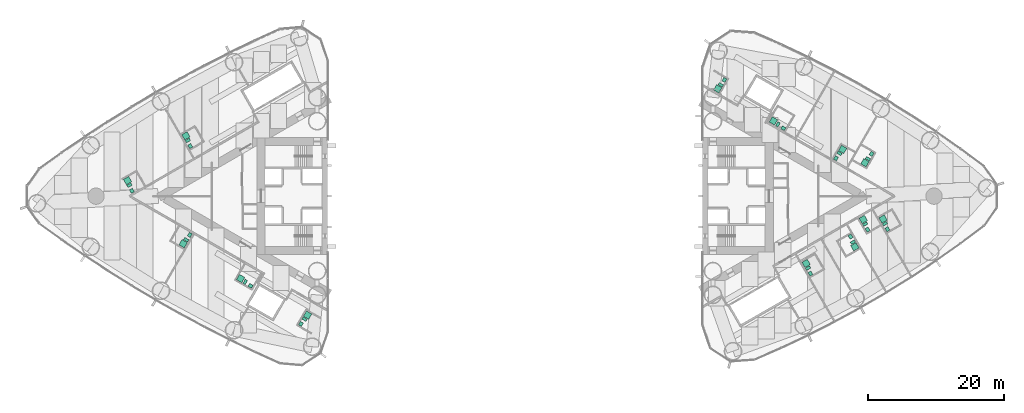
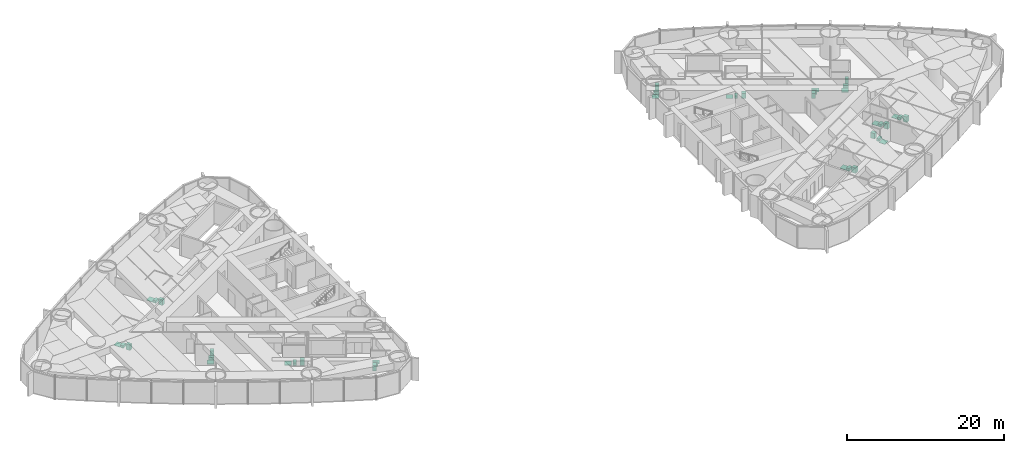
# One storey, part 18 of 18: 17 sanitary terminals.
"""IFC4 building model written with IfcOpenShell, lengths in metres."""

from ifc_helpers import new_model, si_unit, direction, frame, origin, origin_2d, place, context, subcontext, project, spatial, rectangle, extrude, material, type_object, element, save


model = new_model("IFC4")

# Units and contexts
model_context = context("Model", 3, precision=1e-05, world=origin(), true_north=direction((0.0, 1.0)))
body_context = subcontext(model_context, "Body", "Model", "MODEL_VIEW")
ifc_project = project(units=[si_unit("LENGTHUNIT", "METRE"), si_unit("AREAUNIT", "SQUARE_METRE"), si_unit("VOLUMEUNIT", "CUBIC_METRE"), si_unit("PLANEANGLEUNIT", "RADIAN"), si_unit("MASSUNIT", "GRAM", prefix="KILO")], contexts=[model_context])

# Site, building, storey
site_placement = place(None, origin())
site = spatial("IfcSite", under=ifc_project, at=site_placement, CompositionType="ELEMENT")
building_placement = place(site_placement, origin())
building = spatial("IfcBuilding", under=site, at=building_placement, Name="Lancet Gate Hotel", CompositionType="ELEMENT")
storey_placement = place(building_placement, frame((0.0, 0.0, 94.10009765625)))
storey = spatial("IfcBuildingStorey", under=building, at=storey_placement, Name="L24", CompositionType="ELEMENT", Elevation=94.10009765625)

# Sanitary terminals
ifc_material_1 = material(Name="Vitreous china sanitary ware")
sanitary_terminal_type_1 = type_object("IfcSanitaryTerminalType", Name="En-suite sanitary set (shower, WC, basin)", PredefinedType="USERDEFINED", material=ifc_material_1)
sanitary_terminal_1_placement = place(storey_placement, frame((-56.8798828125, 2.279541015625, 0.0), z_axis=(0.0, 0.0, 1.0), x_axis=(1.0, 0.0, 0.0)))
element("IfcSanitaryTerminal", 1, at=sanitary_terminal_1_placement, inside=storey, type_object=sanitary_terminal_type_1, Name="En-suite sanitary set (shower, WC, basin) 2403", ObjectType="EN-SUITE SANITARY SET", PredefinedType="USERDEFINED", context=body_context, shape_type="SweptSolid", body=[
    extrude(rectangle(XDim=0.89990234375, YDim=0.89990234375, at=origin_2d()), frame((0.0, 0.0, 0.0), z_axis=(0.0, 0.0, 1.0), x_axis=(-0.5, 0.866025403784, 0.0)), (0.0, 0.0, 1.0), 0.050048828125),
    extrude(rectangle(XDim=0.39990234375, YDim=0.699951171875, at=origin_2d()), frame((0.278564453125, -0.68212890625, 0.0), z_axis=(0.0, 0.0, 1.0), x_axis=(-0.5, 0.866025403784, 0.0)), (0.0, 0.0, 1.0), 0.39990234375),
    extrude(rectangle(XDim=0.60009765625, YDim=0.5, at=origin_2d()), frame((0.6318359375, -1.494140625, 0.0), z_axis=(0.0, 0.0, 1.0), x_axis=(-0.5, 0.866025403784, 0.0)), (0.0, 0.0, 1.0), 0.85009765625),
])
sanitary_terminal_2_placement = place(storey_placement, frame((-48.724853515625, -6.988037109375, 0.0), z_axis=(0.0, 0.0, 1.0), x_axis=(1.0, 0.0, 0.0)))
element("IfcSanitaryTerminal", 2, at=sanitary_terminal_2_placement, inside=storey, type_object=sanitary_terminal_type_1, Name="En-suite sanitary set (shower, WC, basin) 2405", ObjectType="EN-SUITE SANITARY SET", PredefinedType="USERDEFINED", context=body_context, shape_type="SweptSolid", body=[
    extrude(rectangle(XDim=0.89990234375, YDim=0.89990234375, at=origin_2d()), frame((0.0, 0.0, 0.0), z_axis=(0.0, 0.0, 1.0), x_axis=(-0.5, -0.866025403784, 0.0)), (0.0, 0.0, 1.0), 0.050048828125),
    extrude(rectangle(XDim=0.39990234375, YDim=0.699951171875, at=origin_2d()), frame((0.45166015625, 0.582275390625, 0.0), z_axis=(0.0, 0.0, 1.0), x_axis=(-0.5, -0.866025403784, 0.0)), (0.0, 0.0, 1.0), 0.39990234375),
    extrude(rectangle(XDim=0.60009765625, YDim=0.5, at=origin_2d()), frame((0.978271484375, 1.29443359375, 0.0), z_axis=(0.0, 0.0, 1.0), x_axis=(-0.5, -0.866025403784, 0.0)), (0.0, 0.0, 1.0), 0.85009765625),
])
sanitary_terminal_3_placement = place(storey_placement, frame((-48.3076171875, 8.845458984375, 0.0), z_axis=(0.0, 0.0, 1.0), x_axis=(1.0, 0.0, 0.0)))
element("IfcSanitaryTerminal", 3, at=sanitary_terminal_3_placement, inside=storey, type_object=sanitary_terminal_type_1, Name="En-suite sanitary set (shower, WC, basin) 2402", ObjectType="EN-SUITE SANITARY SET", PredefinedType="USERDEFINED", context=body_context, shape_type="SweptSolid", body=[
    extrude(rectangle(XDim=0.89990234375, YDim=0.89990234375, at=origin_2d()), frame((0.0, 0.0, 0.0), z_axis=(0.0, 0.0, 1.0), x_axis=(-0.5, 0.866025403784, 0.0)), (0.0, 0.0, 1.0), 0.050048828125),
    extrude(rectangle(XDim=0.39990234375, YDim=0.699951171875, at=origin_2d()), frame((0.2783203125, -0.682373046875, 0.0), z_axis=(0.0, 0.0, 1.0), x_axis=(-0.5, 0.866025403784, 0.0)), (0.0, 0.0, 1.0), 0.39990234375),
    extrude(rectangle(XDim=0.60009765625, YDim=0.5, at=origin_2d()), frame((0.6318359375, -1.494384765625, 0.0), z_axis=(0.0, 0.0, 1.0), x_axis=(-0.5, 0.866025403784, 0.0)), (0.0, 0.0, 1.0), 0.85009765625),
])
sanitary_terminal_4_placement = place(storey_placement, frame((-30.45166015625, -17.468505859375, 0.0), z_axis=(0.0, 0.0, 1.0), x_axis=(1.0, 0.0, 0.0)))
element("IfcSanitaryTerminal", 4, at=sanitary_terminal_4_placement, inside=storey, type_object=sanitary_terminal_type_1, Name="En-suite sanitary set (shower, WC, basin) 2408", ObjectType="EN-SUITE SANITARY SET", PredefinedType="USERDEFINED", context=body_context, shape_type="SweptSolid", body=[
    extrude(rectangle(XDim=0.89990234375, YDim=0.89990234375, at=origin_2d()), frame((0.0, 0.0, 0.0), z_axis=(0.0, 0.0, 1.0), x_axis=(0.5, 0.866025403784, 0.0)), (0.0, 0.0, 1.0), 0.050048828125),
    extrude(rectangle(XDim=0.39990234375, YDim=0.699951171875, at=origin_2d()), frame((-0.45166015625, -0.582275390625, 0.0), z_axis=(0.0, 0.0, 1.0), x_axis=(0.5, 0.866025403784, 0.0)), (0.0, 0.0, 1.0), 0.39990234375),
    extrude(rectangle(XDim=0.60009765625, YDim=0.5, at=origin_2d()), frame((-0.978271484375, -1.29443359375, 0.0), z_axis=(0.0, 0.0, 1.0), x_axis=(0.5, 0.866025403784, 0.0)), (0.0, 0.0, 1.0), 0.85009765625),
])
sanitary_terminal_5_placement = place(storey_placement, frame((42.7333984375, -9.877685546875, 0.0), z_axis=(0.0, 0.0, 1.0), x_axis=(1.0, 0.0, 0.0)))
element("IfcSanitaryTerminal", 5, at=sanitary_terminal_5_placement, inside=storey, type_object=sanitary_terminal_type_1, Name="En-suite sanitary set (shower, WC, basin) 2454", ObjectType="EN-SUITE SANITARY SET", PredefinedType="USERDEFINED", context=body_context, shape_type="SweptSolid", body=[
    extrude(rectangle(XDim=0.89990234375, YDim=0.89990234375, at=origin_2d()), frame((0.0, 0.0, 0.0), z_axis=(0.0, 0.0, 1.0), x_axis=(-0.5, 0.866025403784, 0.0)), (0.0, 0.0, 1.0), 0.050048828125),
    extrude(rectangle(XDim=0.39990234375, YDim=0.699951171875, at=origin_2d()), frame((0.2783203125, -0.682373046875, 0.0), z_axis=(0.0, 0.0, 1.0), x_axis=(-0.5, 0.866025403784, 0.0)), (0.0, 0.0, 1.0), 0.39990234375),
    extrude(rectangle(XDim=0.60009765625, YDim=0.5, at=origin_2d()), frame((0.6318359375, -1.494384765625, 0.0), z_axis=(0.0, 0.0, 1.0), x_axis=(-0.5, 0.866025403784, 0.0)), (0.0, 0.0, 1.0), 0.85009765625),
])
sanitary_terminal_6_placement = place(storey_placement, frame((49.875, -7.4404296875, 0.0), z_axis=(0.0, 0.0, 1.0), x_axis=(1.0, 0.0, 0.0)))
element("IfcSanitaryTerminal", 6, at=sanitary_terminal_6_placement, inside=storey, type_object=sanitary_terminal_type_1, Name="En-suite sanitary set (shower, WC, basin) 2455", ObjectType="EN-SUITE SANITARY SET", PredefinedType="USERDEFINED", context=body_context, shape_type="SweptSolid", body=[
    extrude(rectangle(XDim=0.89990234375, YDim=0.89990234375, at=origin_2d()), frame((0.0, 0.0, 0.0), z_axis=(0.0, 0.0, 1.0), x_axis=(0.5, -0.866025403784, 0.0)), (0.0, 0.0, 1.0), 0.050048828125),
    extrude(rectangle(XDim=0.39990234375, YDim=0.699951171875, at=origin_2d()), frame((-0.278564453125, 0.68212890625, 0.0), z_axis=(0.0, 0.0, 1.0), x_axis=(0.5, -0.866025403784, 0.0)), (0.0, 0.0, 1.0), 0.39990234375),
    extrude(rectangle(XDim=0.60009765625, YDim=0.5, at=origin_2d()), frame((-0.6318359375, 1.494140625, 0.0), z_axis=(0.0, 0.0, 1.0), x_axis=(0.5, -0.866025403784, 0.0)), (0.0, 0.0, 1.0), 0.85009765625),
])
sanitary_terminal_7_placement = place(storey_placement, frame((51.11669921875, -3.421142578125, 0.0), z_axis=(0.0, 0.0, 1.0), x_axis=(1.0, 0.0, 0.0)))
element("IfcSanitaryTerminal", 7, at=sanitary_terminal_7_placement, inside=storey, type_object=sanitary_terminal_type_1, Name="En-suite sanitary set (shower, WC, basin) 2456", ObjectType="EN-SUITE SANITARY SET", PredefinedType="USERDEFINED", context=body_context, shape_type="SweptSolid", body=[
    extrude(rectangle(XDim=0.89990234375, YDim=0.89990234375, at=origin_2d()), frame((0.0, 0.0, 0.0), z_axis=(0.0, 0.0, 1.0), x_axis=(-0.5, 0.866025403784, 0.0)), (0.0, 0.0, 1.0), 0.050048828125),
    extrude(rectangle(XDim=0.39990234375, YDim=0.699951171875, at=origin_2d()), frame((0.2783203125, -0.682373046875, 0.0), z_axis=(0.0, 0.0, 1.0), x_axis=(-0.5, 0.866025403784, 0.0)), (0.0, 0.0, 1.0), 0.39990234375),
    extrude(rectangle(XDim=0.60009765625, YDim=0.5, at=origin_2d()), frame((0.631591796875, -1.494384765625, 0.0), z_axis=(0.0, 0.0, 1.0), x_axis=(-0.5, 0.866025403784, 0.0)), (0.0, 0.0, 1.0), 0.85009765625),
])
sanitary_terminal_8_placement = place(storey_placement, frame((54.02490234375, -3.358642578125, 0.0), z_axis=(0.0, 0.0, 1.0), x_axis=(1.0, 0.0, 0.0)))
element("IfcSanitaryTerminal", 8, at=sanitary_terminal_8_placement, inside=storey, type_object=sanitary_terminal_type_1, Name="En-suite sanitary set (shower, WC, basin) 2457", ObjectType="EN-SUITE SANITARY SET", PredefinedType="USERDEFINED", context=body_context, shape_type="SweptSolid", body=[
    extrude(rectangle(XDim=0.89990234375, YDim=0.89990234375, at=origin_2d()), frame((0.0, 0.0, 0.0), z_axis=(0.0, 0.0, 1.0), x_axis=(-0.5, 0.866025403784, 0.0)), (0.0, 0.0, 1.0), 0.050048828125),
    extrude(rectangle(XDim=0.39990234375, YDim=0.699951171875, at=origin_2d()), frame((0.278564453125, -0.68212890625, 0.0), z_axis=(0.0, 0.0, 1.0), x_axis=(-0.5, 0.866025403784, 0.0)), (0.0, 0.0, 1.0), 0.39990234375),
    extrude(rectangle(XDim=0.60009765625, YDim=0.5, at=origin_2d()), frame((0.6318359375, -1.494140625, 0.0), z_axis=(0.0, 0.0, 1.0), x_axis=(-0.5, 0.866025403784, 0.0)), (0.0, 0.0, 1.0), 0.85009765625),
])
sanitary_terminal_9_placement = place(storey_placement, frame((51.353271484375, 4.901123046875, 0.0), z_axis=(0.0, 0.0, 1.0), x_axis=(1.0, 0.0, 0.0)))
element("IfcSanitaryTerminal", 9, at=sanitary_terminal_9_placement, inside=storey, type_object=sanitary_terminal_type_1, Name="En-suite sanitary set (shower, WC, basin) 2458", ObjectType="EN-SUITE SANITARY SET", PredefinedType="USERDEFINED", context=body_context, shape_type="SweptSolid", body=[
    extrude(rectangle(XDim=0.89990234375, YDim=0.89990234375, at=origin_2d()), frame((0.0, 0.0, 0.0), z_axis=(0.0, 0.0, 1.0), x_axis=(-0.5, -0.866025403784, 0.0)), (0.0, 0.0, 1.0), 0.050048828125),
    extrude(rectangle(XDim=0.39990234375, YDim=0.699951171875, at=origin_2d()), frame((0.45166015625, 0.582275390625, 0.0), z_axis=(0.0, 0.0, 1.0), x_axis=(-0.5, -0.866025403784, 0.0)), (0.0, 0.0, 1.0), 0.39990234375),
    extrude(rectangle(XDim=0.60009765625, YDim=0.5, at=origin_2d()), frame((0.978271484375, 1.294189453125, 0.0), z_axis=(0.0, 0.0, 1.0), x_axis=(-0.5, -0.866025403784, 0.0)), (0.0, 0.0, 1.0), 0.85009765625),
])
sanitary_terminal_10_placement = place(storey_placement, frame((48.083740234375, 6.858154296875, 0.0), z_axis=(0.0, 0.0, 1.0), x_axis=(1.0, 0.0, 0.0)))
element("IfcSanitaryTerminal", 10, at=sanitary_terminal_10_placement, inside=storey, type_object=sanitary_terminal_type_1, Name="En-suite sanitary set (shower, WC, basin) 2460", ObjectType="EN-SUITE SANITARY SET", PredefinedType="USERDEFINED", context=body_context, shape_type="SweptSolid", body=[
    extrude(rectangle(XDim=0.89990234375, YDim=0.89990234375, at=origin_2d()), frame((0.0, 0.0, 0.0), z_axis=(0.0, 0.0, 1.0), x_axis=(0.5, 0.866025403784, 0.0)), (0.0, 0.0, 1.0), 0.050048828125),
    extrude(rectangle(XDim=0.39990234375, YDim=0.699951171875, at=origin_2d()), frame((-0.45166015625, -0.582275390625, 0.0), z_axis=(0.0, 0.0, 1.0), x_axis=(0.5, 0.866025403784, 0.0)), (0.0, 0.0, 1.0), 0.39990234375),
    extrude(rectangle(XDim=0.60009765625, YDim=0.5, at=origin_2d()), frame((-0.978271484375, -1.29443359375, 0.0), z_axis=(0.0, 0.0, 1.0), x_axis=(0.5, 0.866025403784, 0.0)), (0.0, 0.0, 1.0), 0.85009765625),
])
sanitary_terminal_11_placement = place(storey_placement, frame((29.751708984375, 15.756103515625, 0.0), z_axis=(0.0, 0.0, 1.0), x_axis=(1.0, 0.0, 0.0)))
element("IfcSanitaryTerminal", 11, at=sanitary_terminal_11_placement, inside=storey, type_object=sanitary_terminal_type_1, Name="En-suite sanitary set (shower, WC, basin) 2464", ObjectType="EN-SUITE SANITARY SET", PredefinedType="USERDEFINED", context=body_context, shape_type="SweptSolid", body=[
    extrude(rectangle(XDim=0.89990234375, YDim=0.89990234375, at=origin_2d()), frame((0.0, 0.0, 0.0), z_axis=(0.0, 0.0, 1.0), x_axis=(-0.5, -0.866025403784, 0.0)), (0.0, 0.0, 1.0), 0.050048828125),
    extrude(rectangle(XDim=0.39990234375, YDim=0.699951171875, at=origin_2d()), frame((0.45166015625, 0.582275390625, 0.0), z_axis=(0.0, 0.0, 1.0), x_axis=(-0.5, -0.866025403784, 0.0)), (0.0, 0.0, 1.0), 0.39990234375),
    extrude(rectangle(XDim=0.60009765625, YDim=0.5, at=origin_2d()), frame((0.978271484375, 1.29443359375, 0.0), z_axis=(0.0, 0.0, 1.0), x_axis=(-0.5, -0.866025403784, 0.0)), (0.0, 0.0, 1.0), 0.85009765625),
])
ifc_material_2 = material(Name="Stone resin shower tray", Category="masonry")
sanitary_terminal_type_2 = type_object("IfcSanitaryTerminalType", Name="Shower tray 900", PredefinedType="SHOWER", material=ifc_material_2)
for number, where, z_axis, x_axis, name in (
    (12, (-40.2763671875, -12.0966796875, 0.0), (0.0, 0.0, 1.0), (-0.866025403784, 0.5, 0.0), "Shower tray 900 2407"),
    (13, (37.922607421875, 11.038818359375, 0.0), (0.0, 0.0, 1.0), (-0.866025403784, 0.5, 0.0), "Shower tray 900 2462"),
):
    element("IfcSanitaryTerminal", number, at=place(storey_placement, frame(where, z_axis=z_axis, x_axis=x_axis)), inside=storey, type_object=sanitary_terminal_type_2, Name=name, PredefinedType="SHOWER", context=body_context, shape_type="SweptSolid", body=[
        extrude(rectangle(XDim=0.89990234375, YDim=0.89990234375, at=origin_2d()), origin(), (0.0, 0.0, 1.0), 0.050048828125),
    ])
ifc_material_3 = material(Name="Vitreous china sanitary ware")
sanitary_terminal_type_3 = type_object("IfcSanitaryTerminalType", Name="Vanity basin 600", PredefinedType="WASHHANDBASIN", material=ifc_material_3)
for number, where, z_axis, x_axis, name in (
    (14, (-38.808837890625, -13.1748046875, -0.000244140625), (0.0, 0.0, 1.0), (-0.866025403784, 0.5, 0.0), "Vanity basin 600 2407"),
    (15, (39.389892578125, 9.960693359375, -0.000244140625), (0.0, 0.0, 1.0), (-0.866025403784, 0.5, 0.0), "Vanity basin 600 2462"),
):
    element("IfcSanitaryTerminal", number, at=place(storey_placement, frame(where, z_axis=z_axis, x_axis=x_axis)), inside=storey, type_object=sanitary_terminal_type_3, Name=name, PredefinedType="WASHHANDBASIN", context=body_context, shape_type="SweptSolid", body=[
        extrude(rectangle(XDim=0.60009765625, YDim=0.5, at=origin_2d()), origin(), (0.0, 0.0, 1.0), 0.85009765625),
    ])
ifc_material_4 = material(Name="Vitreous china sanitary ware")
sanitary_terminal_type_4 = type_object("IfcSanitaryTerminalType", Name="WC pan wall hung", PredefinedType="TOILETPAN", material=ifc_material_4)
for number, where, z_axis, x_axis, name in (
    (16, (-39.607421875, -12.59814453125, 0.0), (0.0, 0.0, 1.0), (-0.866025403784, 0.5, 0.0), "WC pan wall hung 2407"),
    (17, (38.59130859375, 10.537109375, 0.0), (0.0, 0.0, 1.0), (-0.866025403784, 0.5, 0.0), "WC pan wall hung 2462"),
):
    element("IfcSanitaryTerminal", number, at=place(storey_placement, frame(where, z_axis=z_axis, x_axis=x_axis)), inside=storey, type_object=sanitary_terminal_type_4, Name=name, PredefinedType="TOILETPAN", context=body_context, shape_type="SweptSolid", body=[
        extrude(rectangle(XDim=0.39990234375, YDim=0.699951171875, at=origin_2d()), origin(), (0.0, 0.0, 1.0), 0.39990234375),
    ])

save(model, "model.ifc")
